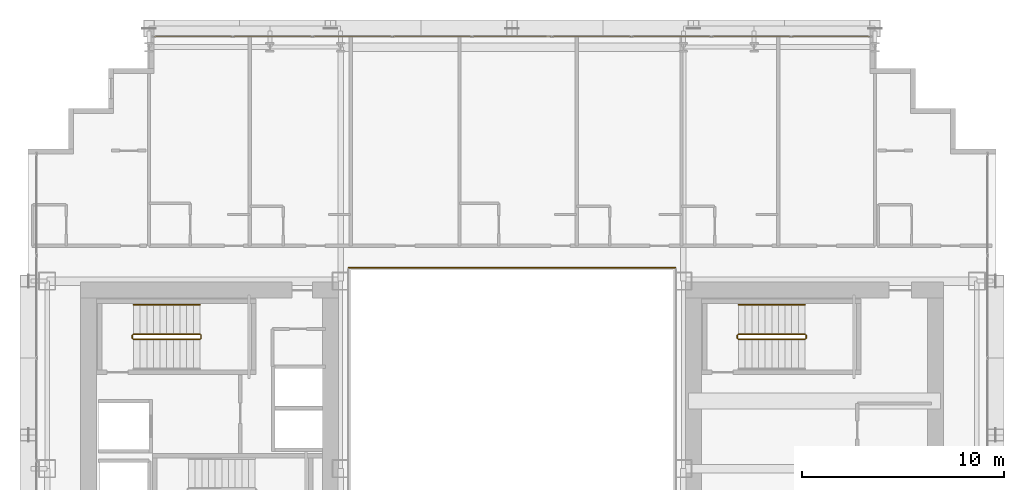
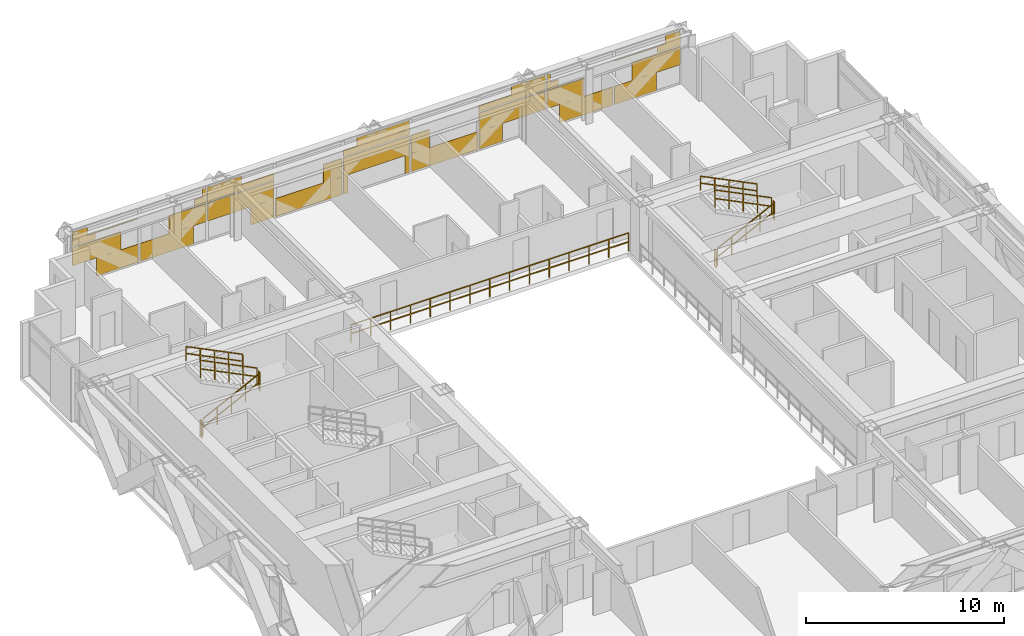
# One storey, part 38 of 38: 11 railings, 1 covering.
"""IFC4 building model written with IfcOpenShell, lengths in metres."""

from ifc_helpers import new_model, si_unit, direction, frame, origin, origin_2d, place, context, subcontext, project, spatial, rectangle, extrude, material, layer, layer_set, type_object, element, save


model = new_model("IFC4")

# Units and contexts
model_context = context("Model", 3, precision=1e-05, world=origin(), true_north=direction((0.0, 1.0)))
body_context = subcontext(model_context, "Body", "Model", "MODEL_VIEW")
ifc_project = project(units=[si_unit("LENGTHUNIT", "METRE"), si_unit("AREAUNIT", "SQUARE_METRE"), si_unit("VOLUMEUNIT", "CUBIC_METRE"), si_unit("PLANEANGLEUNIT", "RADIAN"), si_unit("MASSUNIT", "GRAM", prefix="KILO")], contexts=[model_context])

# Site, building, storey
site_placement = place(None, origin())
site = spatial("IfcSite", under=ifc_project, at=site_placement, CompositionType="ELEMENT")
building_placement = place(site_placement, origin())
building = spatial("IfcBuilding", under=site, at=building_placement, Name="Ocotamira Hotel", CompositionType="ELEMENT")
storey_placement = place(building_placement, frame((0.0, 0.0, 74.39990234375)))
storey = spatial("IfcBuildingStorey", under=building, at=storey_placement, Name="L18", CompositionType="ELEMENT", Elevation=74.39990234375)

# Covering
ifc_material_1 = material(Name="Insulated pale-metal aluminium spandrel panel", Category="aluminium")
ifc_layer = layer(ifc_material_1, 0.044921875)
ifc_layer_set = layer_set([ifc_layer], Name="Insulated pale-metal aluminium spandrel panel")
covering_type = type_object("IfcCoveringType", Name="COV-INFILL-45", PredefinedType="CLADDING", material=ifc_layer_set)
covering_placement = place(storey_placement, origin())
element("IfcCovering", 1, at=covering_placement, inside=storey, type_object=covering_type, Name="L18 Curtain Wall Infill CW-2 CW-L18-N", PredefinedType="CLADDING", context=body_context, shape_type="SweptSolid", body=[
    extrude(rectangle(XDim=2.822265625, YDim=0.044921875, at=origin_2d()), frame((15.691650390625, 49.580078125, 1.1943359375), z_axis=(0.0, 0.0, 1.0), x_axis=(1.0, 0.0, 0.0)), (0.0, 0.0, 1.0), 1.117919921875),
    extrude(rectangle(XDim=2.4521484375, YDim=0.044921875, at=origin_2d()), frame((16.888916015625, 49.580078125, 0.07568359375), z_axis=(0.0, 0.0, 1.0), x_axis=(1.0, 0.0, 0.0)), (0.0, 0.0, 1.0), 1.117919921875),
    extrude(rectangle(XDim=1.330078125, YDim=0.044921875, at=origin_2d()), frame((14.945556640625, 49.580078125, 2.38818359375), z_axis=(0.0, 0.0, 1.0), x_axis=(1.0, 0.0, 0.0)), (0.0, 0.0, 1.0), 0.344482421875),
    extrude(rectangle(XDim=3.834716796875, YDim=0.044921875, at=origin_2d()), frame((16.19775390625, 49.580078125, 2.733642578125), z_axis=(0.0, 0.0, 1.0), x_axis=(1.0, 0.0, 0.0)), (0.0, 0.0, 1.0), 0.0302734375),
    extrude(rectangle(XDim=0.859130859375, YDim=0.044921875, at=origin_2d()), frame((14.7099609375, 49.580078125, 2.764892578125), z_axis=(0.0, 0.0, 1.0), x_axis=(1.0, 0.0, 0.0)), (0.0, 0.0, 1.0), 0.509765625),
    extrude(rectangle(XDim=3.14111328125, YDim=0.044921875, at=origin_2d()), frame((19.7666015625, 49.580078125, 0.07568359375), z_axis=(0.0, 0.0, 1.0), x_axis=(1.0, 0.0, 0.0)), (0.0, 0.0, 1.0), 1.117919921875),
    extrude(rectangle(XDim=2.17333984375, YDim=0.044921875, at=origin_2d()), frame((20.98388671875, 49.580078125, 1.1943359375), z_axis=(0.0, 0.0, 1.0), x_axis=(1.0, 0.0, 0.0)), (0.0, 0.0, 1.0), 1.117919921875),
    extrude(rectangle(XDim=0.68115234375, YDim=0.044921875, at=origin_2d()), frame((21.72998046875, 49.580078125, 2.38818359375), z_axis=(0.0, 0.0, 1.0), x_axis=(1.0, 0.0, 0.0)), (0.0, 0.0, 1.0), 0.375732421875),
    extrude(rectangle(XDim=0.210205078125, YDim=0.044921875, at=origin_2d()), frame((21.965576171875, 49.580078125, 2.764892578125), z_axis=(0.0, 0.0, 1.0), x_axis=(1.0, 0.0, 0.0)), (0.0, 0.0, 1.0), 0.509765625),
    extrude(rectangle(XDim=3.87451171875, YDim=0.044921875, at=origin_2d()), frame((24.0888671875, 49.580078125, 1.1943359375), z_axis=(0.0, 0.0, 1.0), x_axis=(1.0, 0.0, 0.0)), (0.0, 0.0, 1.0), 1.117919921875),
    extrude(rectangle(XDim=1.36328125, YDim=0.044921875, at=origin_2d()), frame((25.344482421875, 49.580078125, 0.07568359375), z_axis=(0.0, 0.0, 1.0), x_axis=(1.0, 0.0, 0.0)), (0.0, 0.0, 1.0), 1.117919921875),
    extrude(rectangle(XDim=3.87451171875, YDim=0.044921875, at=origin_2d()), frame((24.0888671875, 49.580078125, 2.38818359375), z_axis=(0.0, 0.0, 1.0), x_axis=(1.0, 0.0, 0.0)), (0.0, 0.0, 1.0), 0.375732421875),
    extrude(rectangle(XDim=1.988037109375, YDim=0.044921875, at=origin_2d()), frame((23.1455078125, 49.580078125, 2.764892578125), z_axis=(0.0, 0.0, 1.0), x_axis=(1.0, 0.0, 0.0)), (0.0, 0.0, 1.0), 0.509765625),
    extrude(rectangle(XDim=3.87451171875, YDim=0.044921875, at=origin_2d()), frame((28.04443359375, 49.580078125, 0.07568359375), z_axis=(0.0, 0.0, 1.0), x_axis=(1.0, 0.0, 0.0)), (0.0, 0.0, 1.0), 1.117919921875),
    extrude(rectangle(XDim=1.08447265625, YDim=0.044921875, at=origin_2d()), frame((29.439453125, 49.580078125, 1.1943359375), z_axis=(0.0, 0.0, 1.0), x_axis=(1.0, 0.0, 0.0)), (0.0, 0.0, 1.0), 1.117919921875),
    extrude(rectangle(XDim=0.2744140625, YDim=0.044921875, at=origin_2d()), frame((30.199951171875, 49.580078125, 0.07568359375), z_axis=(0.0, 0.0, 1.0), x_axis=(1.0, 0.0, 0.0)), (0.0, 0.0, 1.0), 1.117919921875),
    extrude(rectangle(XDim=3.87451171875, YDim=0.044921875, at=origin_2d()), frame((32.0, 49.580078125, 1.1943359375), z_axis=(0.0, 0.0, 1.0), x_axis=(1.0, 0.0, 0.0)), (0.0, 0.0, 1.0), 1.117919921875),
    extrude(rectangle(XDim=0.2744140625, YDim=0.044921875, at=origin_2d()), frame((33.800048828125, 49.580078125, 0.07568359375), z_axis=(0.0, 0.0, 1.0), x_axis=(1.0, 0.0, 0.0)), (0.0, 0.0, 1.0), 1.117919921875),
    extrude(rectangle(XDim=3.87451171875, YDim=0.044921875, at=origin_2d()), frame((32.0, 49.580078125, 2.38818359375), z_axis=(0.0, 0.0, 1.0), x_axis=(1.0, 0.0, 0.0)), (0.0, 0.0, 1.0), 0.375732421875),
    extrude(rectangle(XDim=3.076904296875, YDim=0.044921875, at=origin_2d()), frame((32.39892578125, 49.580078125, 2.764892578125), z_axis=(0.0, 0.0, 1.0), x_axis=(1.0, 0.0, 0.0)), (0.0, 0.0, 1.0), 0.509765625),
    extrude(rectangle(XDim=3.87451171875, YDim=0.044921875, at=origin_2d()), frame((35.95556640625, 49.580078125, 0.07568359375), z_axis=(0.0, 0.0, 1.0), x_axis=(1.0, 0.0, 0.0)), (0.0, 0.0, 1.0), 1.117919921875),
    extrude(rectangle(XDim=1.08447265625, YDim=0.044921875, at=origin_2d()), frame((34.560546875, 49.580078125, 1.1943359375), z_axis=(0.0, 0.0, 1.0), x_axis=(1.0, 0.0, 0.0)), (0.0, 0.0, 1.0), 1.117919921875),
    extrude(rectangle(XDim=1.36328125, YDim=0.044921875, at=origin_2d()), frame((38.655517578125, 49.580078125, 0.07568359375), z_axis=(0.0, 0.0, 1.0), x_axis=(1.0, 0.0, 0.0)), (0.0, 0.0, 1.0), 1.117919921875),
    extrude(rectangle(XDim=3.87451171875, YDim=0.044921875, at=origin_2d()), frame((39.9111328125, 49.580078125, 1.1943359375), z_axis=(0.0, 0.0, 1.0), x_axis=(1.0, 0.0, 0.0)), (0.0, 0.0, 1.0), 1.117919921875),
    extrude(rectangle(XDim=3.87451171875, YDim=0.044921875, at=origin_2d()), frame((39.9111328125, 49.580078125, 2.38818359375), z_axis=(0.0, 0.0, 1.0), x_axis=(1.0, 0.0, 0.0)), (0.0, 0.0, 1.0), 0.375732421875),
    extrude(rectangle(XDim=1.988037109375, YDim=0.044921875, at=origin_2d()), frame((40.8544921875, 49.580078125, 2.764892578125), z_axis=(0.0, 0.0, 1.0), x_axis=(1.0, 0.0, 0.0)), (0.0, 0.0, 1.0), 0.509765625),
    extrude(rectangle(XDim=2.17333984375, YDim=0.044921875, at=origin_2d()), frame((43.01611328125, 49.580078125, 1.1943359375), z_axis=(0.0, 0.0, 1.0), x_axis=(1.0, 0.0, 0.0)), (0.0, 0.0, 1.0), 1.117919921875),
    extrude(rectangle(XDim=3.14111328125, YDim=0.044921875, at=origin_2d()), frame((44.2333984375, 49.580078125, 0.07568359375), z_axis=(0.0, 0.0, 1.0), x_axis=(1.0, 0.0, 0.0)), (0.0, 0.0, 1.0), 1.117919921875),
    extrude(rectangle(XDim=0.68115234375, YDim=0.044921875, at=origin_2d()), frame((42.27001953125, 49.580078125, 2.38818359375), z_axis=(0.0, 0.0, 1.0), x_axis=(1.0, 0.0, 0.0)), (0.0, 0.0, 1.0), 0.375732421875),
    extrude(rectangle(XDim=0.210205078125, YDim=0.044921875, at=origin_2d()), frame((42.034423828125, 49.580078125, 2.764892578125), z_axis=(0.0, 0.0, 1.0), x_axis=(1.0, 0.0, 0.0)), (0.0, 0.0, 1.0), 0.509765625),
    extrude(rectangle(XDim=2.4521484375, YDim=0.044921875, at=origin_2d()), frame((47.111083984375, 49.580078125, 0.07568359375), z_axis=(0.0, 0.0, 1.0), x_axis=(1.0, 0.0, 0.0)), (0.0, 0.0, 1.0), 1.117919921875),
    extrude(rectangle(XDim=2.822265625, YDim=0.044921875, at=origin_2d()), frame((48.308349609375, 49.580078125, 1.1943359375), z_axis=(0.0, 0.0, 1.0), x_axis=(1.0, 0.0, 0.0)), (0.0, 0.0, 1.0), 1.117919921875),
    extrude(rectangle(XDim=3.834716796875, YDim=0.044921875, at=origin_2d()), frame((47.80224609375, 49.580078125, 2.733642578125), z_axis=(0.0, 0.0, 1.0), x_axis=(1.0, 0.0, 0.0)), (0.0, 0.0, 1.0), 0.0302734375),
    extrude(rectangle(XDim=1.330078125, YDim=0.044921875, at=origin_2d()), frame((49.054443359375, 49.580078125, 2.38818359375), z_axis=(0.0, 0.0, 1.0), x_axis=(1.0, 0.0, 0.0)), (0.0, 0.0, 1.0), 0.344482421875),
    extrude(rectangle(XDim=0.859130859375, YDim=0.044921875, at=origin_2d()), frame((49.2900390625, 49.580078125, 2.764892578125), z_axis=(0.0, 0.0, 1.0), x_axis=(1.0, 0.0, 0.0)), (0.0, 0.0, 1.0), 0.509765625),
])

# Railings
ifc_material_2 = material(Name="Painted steel stair guardrail", Category="steel")
railing_type_1 = type_object("IfcRailingType", Name="RL-EDGE-1150", PredefinedType="GUARDRAIL", material=ifc_material_2)
railing_1_placement = place(storey_placement, frame((40.10009765625, 38.1201171875, 0.0)))
element("IfcRailing", 2, at=railing_1_placement, inside=storey, type_object=railing_type_1, Name="L18 Central Atrium Edge Guardrail N", PredefinedType="GUARDRAIL", context=body_context, shape_type="SweptSolid", body=[
    extrude(rectangle(XDim=0.048095703125, YDim=0.048095703125, at=origin_2d()), frame((0.0, 0.0, 1.1259765625), z_axis=(-1.0, 0.0, 0.0), x_axis=(0.0, -1.0, 0.0)), (0.0, 0.0, 1.0), 16.2001953125),
    extrude(rectangle(XDim=0.048095703125, YDim=0.048095703125, at=origin_2d()), frame((0.0, 0.0, 0.574951171875), z_axis=(-1.0, 0.0, 0.0), x_axis=(0.0, -1.0, 0.0)), (0.0, 0.0, 1.0), 16.2001953125),
    extrude(rectangle(XDim=0.0419921875, YDim=0.0419921875, at=origin_2d()), origin(), (0.0, 0.0, 1.0), 1.101806640625),
    extrude(rectangle(XDim=0.0419921875, YDim=0.0419921875, at=origin_2d()), frame((-1.1572265625, 0.0, 0.0)), (0.0, 0.0, 1.0), 1.101806640625),
    extrude(rectangle(XDim=0.0419921875, YDim=0.0419921875, at=origin_2d()), frame((-2.314208984375, 0.0, 0.0)), (0.0, 0.0, 1.0), 1.101806640625),
    extrude(rectangle(XDim=0.0419921875, YDim=0.0419921875, at=origin_2d()), frame((-3.471435546875, 0.0, 0.0)), (0.0, 0.0, 1.0), 1.101806640625),
    extrude(rectangle(XDim=0.0419921875, YDim=0.0419921875, at=origin_2d()), frame((-4.628662109375, 0.0, 0.0)), (0.0, 0.0, 1.0), 1.101806640625),
    extrude(rectangle(XDim=0.0419921875, YDim=0.0419921875, at=origin_2d()), frame((-5.785888671875, 0.0, 0.0)), (0.0, 0.0, 1.0), 1.101806640625),
    extrude(rectangle(XDim=0.0419921875, YDim=0.0419921875, at=origin_2d()), frame((-6.94287109375, 0.0, 0.0)), (0.0, 0.0, 1.0), 1.101806640625),
    extrude(rectangle(XDim=0.0419921875, YDim=0.0419921875, at=origin_2d()), frame((-8.10009765625, 0.0, 0.0)), (0.0, 0.0, 1.0), 1.101806640625),
    extrude(rectangle(XDim=0.0419921875, YDim=0.0419921875, at=origin_2d()), frame((-9.25732421875, 0.0, 0.0)), (0.0, 0.0, 1.0), 1.101806640625),
    extrude(rectangle(XDim=0.0419921875, YDim=0.0419921875, at=origin_2d()), frame((-10.414306640625, 0.0, 0.0)), (0.0, 0.0, 1.0), 1.101806640625),
    extrude(rectangle(XDim=0.0419921875, YDim=0.0419921875, at=origin_2d()), frame((-11.571533203125, 0.0, 0.0)), (0.0, 0.0, 1.0), 1.101806640625),
    extrude(rectangle(XDim=0.0419921875, YDim=0.0419921875, at=origin_2d()), frame((-12.728759765625, 0.0, 0.0)), (0.0, 0.0, 1.0), 1.101806640625),
    extrude(rectangle(XDim=0.0419921875, YDim=0.0419921875, at=origin_2d()), frame((-13.885986328125, 0.0, 0.0)), (0.0, 0.0, 1.0), 1.101806640625),
    extrude(rectangle(XDim=0.0419921875, YDim=0.0419921875, at=origin_2d()), frame((-15.04296875, 0.0, 0.0)), (0.0, 0.0, 1.0), 1.101806640625),
    extrude(rectangle(XDim=0.0419921875, YDim=0.0419921875, at=origin_2d()), frame((-16.2001953125, 0.0, 0.0)), (0.0, 0.0, 1.0), 1.101806640625),
])
ifc_material_3 = material(Name="Brushed stainless steel handrail", Category="steel")
railing_type_2 = type_object("IfcRailingType", Name="RL-HAND-900", PredefinedType="HANDRAIL", material=ifc_material_3)
for number, where, name in (
    (3, (16.530029296875, 36.280029296875, 2.12744140625), "L18 ST-2 stair handrail 2"),
    (4, (46.530029296875, 36.280029296875, 2.12744140625), "L18 ST-4 stair handrail 2"),
):
    element("IfcRailing", number, at=place(storey_placement, frame(where)), inside=storey, type_object=railing_type_2, Name=name, PredefinedType="HANDRAIL", context=body_context, shape_type="SweptSolid", body=[
        extrude(rectangle(XDim=0.048095703125, YDim=0.048095703125, at=origin_2d()), frame((0.0, 0.0, 0.8759765625), z_axis=(-0.895920123917, 0.0, 0.444215186098), x_axis=(0.0, -1.0, 0.0)), (0.0, 0.0, 1.0), 3.683349609375),
        extrude(rectangle(XDim=0.048095703125, YDim=0.048095703125, at=origin_2d()), frame((0.0, 0.0, 0.449951171875), z_axis=(-0.895920123917, 0.0, 0.444215186098), x_axis=(0.0, -1.0, 0.0)), (0.0, 0.0, 1.0), 3.683349609375),
        extrude(rectangle(XDim=0.0419921875, YDim=0.0419921875, at=origin_2d()), origin(), (0.0, 0.0, 1.0), 0.851806640625),
        extrude(rectangle(XDim=0.0419921875, YDim=0.0419921875, at=origin_2d()), frame((-0.824951171875, 0.0, 0.4091796875)), (0.0, 0.0, 1.0), 0.851806640625),
        extrude(rectangle(XDim=0.0419921875, YDim=0.0419921875, at=origin_2d()), frame((-1.64990234375, 0.0, 0.818115234375)), (0.0, 0.0, 1.0), 0.851806640625),
        extrude(rectangle(XDim=0.0419921875, YDim=0.0419921875, at=origin_2d()), frame((-2.47509765625, 0.0, 1.22705078125)), (0.0, 0.0, 1.0), 0.851806640625),
        extrude(rectangle(XDim=0.0419921875, YDim=0.0419921875, at=origin_2d()), frame((-3.300048828125, 0.0, 1.63623046875)), (0.0, 0.0, 1.0), 0.851806640625),
    ])
railing_type_3 = type_object("IfcRailingType", Name="RL-STAIR-1100", PredefinedType="GUARDRAIL", material=ifc_material_2)
railing_2_placement = place(storey_placement, frame((13.22998046875, 34.56005859375, 0.163818359375)))
element("IfcRailing", 5, at=railing_2_placement, inside=storey, type_object=railing_type_3, Name="L18 ST-2 stair guard 1", PredefinedType="GUARDRAIL", context=body_context, shape_type="SweptSolid", body=[
    extrude(rectangle(XDim=0.048095703125, YDim=0.048095703125, at=origin_2d()), frame((0.0, 0.0, 1.076171875), z_axis=(0.895920123917, 0.0, 0.444215186098), x_axis=(0.0, 1.0, 0.0)), (0.0, 0.0, 1.0), 3.683349609375),
    extrude(rectangle(XDim=0.048095703125, YDim=0.048095703125, at=origin_2d()), frame((0.0, 0.0, 0.550048828125), z_axis=(0.895920123917, 0.0, 0.444215186098), x_axis=(0.0, 1.0, 0.0)), (0.0, 0.0, 1.0), 3.683349609375),
    extrude(rectangle(XDim=0.0419921875, YDim=0.0419921875, at=origin_2d()), origin(), (0.0, 0.0, 1.0), 1.052001953125),
    extrude(rectangle(XDim=0.0419921875, YDim=0.0419921875, at=origin_2d()), frame((0.824951171875, 0.0, 0.4091796875)), (0.0, 0.0, 1.0), 1.052001953125),
    extrude(rectangle(XDim=0.0419921875, YDim=0.0419921875, at=origin_2d()), frame((1.64990234375, 0.0, 0.818115234375)), (0.0, 0.0, 1.0), 1.052001953125),
    extrude(rectangle(XDim=0.0419921875, YDim=0.0419921875, at=origin_2d()), frame((2.47509765625, 0.0, 1.22705078125)), (0.0, 0.0, 1.0), 1.052001953125),
    extrude(rectangle(XDim=0.0419921875, YDim=0.0419921875, at=origin_2d()), frame((3.300048828125, 0.0, 1.63623046875)), (0.0, 0.0, 1.0), 1.052001953125),
])
railing_3_placement = place(storey_placement, frame((16.580078125, 34.610107421875, 1.800048828125)))
element("IfcRailing", 6, at=railing_3_placement, inside=storey, type_object=railing_type_3, Name="L18 ST-2 stair guard 2", PredefinedType="GUARDRAIL", context=body_context, shape_type="SweptSolid", body=[
    extrude(rectangle(XDim=0.048095703125, YDim=0.048095703125, at=origin_2d()), frame((0.0, 0.0, 1.076171875), z_axis=(0.0, 1.0, 0.0), x_axis=(-1.0, 0.0, 0.0)), (0.0, 0.0, 1.0), 0.159912109375),
    extrude(rectangle(XDim=0.048095703125, YDim=0.048095703125, at=origin_2d()), frame((0.0, 0.0, 0.550048828125), z_axis=(0.0, 1.0, 0.0), x_axis=(-1.0, 0.0, 0.0)), (0.0, 0.0, 1.0), 0.159912109375),
    extrude(rectangle(XDim=0.0419921875, YDim=0.0419921875, at=origin_2d()), origin(), (0.0, 0.0, 1.0), 1.052001953125),
    extrude(rectangle(XDim=0.0419921875, YDim=0.0419921875, at=origin_2d()), frame((0.0, 0.159912109375, 0.0)), (0.0, 0.0, 1.0), 1.052001953125),
])
railing_4_placement = place(storey_placement, frame((16.530029296875, 34.820068359375, 1.963623046875)))
element("IfcRailing", 7, at=railing_4_placement, inside=storey, type_object=railing_type_3, Name="L18 ST-2 stair guard 3", PredefinedType="GUARDRAIL", context=body_context, shape_type="SweptSolid", body=[
    extrude(rectangle(XDim=0.048095703125, YDim=0.048095703125, at=origin_2d()), frame((0.0, 0.0, 1.076171875), z_axis=(-0.895893744519, 0.0, 0.4442683857), x_axis=(0.0, -1.0, 0.0)), (0.0, 0.0, 1.0), 3.68359375),
    extrude(rectangle(XDim=0.048095703125, YDim=0.048095703125, at=origin_2d()), frame((0.0, 0.0, 0.550048828125), z_axis=(-0.895893744519, 0.0, 0.4442683857), x_axis=(0.0, -1.0, 0.0)), (0.0, 0.0, 1.0), 3.68359375),
    extrude(rectangle(XDim=0.0419921875, YDim=0.0419921875, at=origin_2d()), origin(), (0.0, 0.0, 1.0), 1.052001953125),
    extrude(rectangle(XDim=0.0419921875, YDim=0.0419921875, at=origin_2d()), frame((-0.824951171875, 0.0, 0.4091796875)), (0.0, 0.0, 1.0), 1.052001953125),
    extrude(rectangle(XDim=0.0419921875, YDim=0.0419921875, at=origin_2d()), frame((-1.64990234375, 0.0, 0.818359375)), (0.0, 0.0, 1.0), 1.052001953125),
    extrude(rectangle(XDim=0.0419921875, YDim=0.0419921875, at=origin_2d()), frame((-2.47509765625, 0.0, 1.227294921875)), (0.0, 0.0, 1.0), 1.052001953125),
    extrude(rectangle(XDim=0.0419921875, YDim=0.0419921875, at=origin_2d()), frame((-3.300048828125, 0.0, 1.636474609375)), (0.0, 0.0, 1.0), 1.052001953125),
])
railing_5_placement = place(storey_placement, frame((13.179931640625, 34.610107421875, 0.0)))
element("IfcRailing", 8, at=railing_5_placement, inside=storey, type_object=railing_type_3, Name="L18 ST-2 stair guard 4", PredefinedType="GUARDRAIL", context=body_context, shape_type="SweptSolid", body=[
    extrude(rectangle(XDim=0.048095703125, YDim=0.048095703125, at=origin_2d()), frame((0.0, 0.0, 1.076171875), z_axis=(0.0, 1.0, 0.0), x_axis=(-1.0, 0.0, 0.0)), (0.0, 0.0, 1.0), 0.159912109375),
    extrude(rectangle(XDim=0.048095703125, YDim=0.048095703125, at=origin_2d()), frame((0.0, 0.0, 0.550048828125), z_axis=(0.0, 1.0, 0.0), x_axis=(-1.0, 0.0, 0.0)), (0.0, 0.0, 1.0), 0.159912109375),
    extrude(rectangle(XDim=0.0419921875, YDim=0.0419921875, at=origin_2d()), origin(), (0.0, 0.0, 1.0), 1.052001953125),
    extrude(rectangle(XDim=0.0419921875, YDim=0.0419921875, at=origin_2d()), frame((0.0, 0.159912109375, 0.0)), (0.0, 0.0, 1.0), 1.052001953125),
])
railing_6_placement = place(storey_placement, frame((43.22998046875, 34.56005859375, 0.163818359375)))
element("IfcRailing", 9, at=railing_6_placement, inside=storey, type_object=railing_type_3, Name="L18 ST-4 stair guard 1", PredefinedType="GUARDRAIL", context=body_context, shape_type="SweptSolid", body=[
    extrude(rectangle(XDim=0.048095703125, YDim=0.048095703125, at=origin_2d()), frame((0.0, 0.0, 1.076171875), z_axis=(0.895920123917, 0.0, 0.444215186098), x_axis=(0.0, 1.0, 0.0)), (0.0, 0.0, 1.0), 3.683349609375),
    extrude(rectangle(XDim=0.048095703125, YDim=0.048095703125, at=origin_2d()), frame((0.0, 0.0, 0.550048828125), z_axis=(0.895920123917, 0.0, 0.444215186098), x_axis=(0.0, 1.0, 0.0)), (0.0, 0.0, 1.0), 3.683349609375),
    extrude(rectangle(XDim=0.0419921875, YDim=0.0419921875, at=origin_2d()), origin(), (0.0, 0.0, 1.0), 1.052001953125),
    extrude(rectangle(XDim=0.0419921875, YDim=0.0419921875, at=origin_2d()), frame((0.824951171875, 0.0, 0.4091796875)), (0.0, 0.0, 1.0), 1.052001953125),
    extrude(rectangle(XDim=0.0419921875, YDim=0.0419921875, at=origin_2d()), frame((1.64990234375, 0.0, 0.818115234375)), (0.0, 0.0, 1.0), 1.052001953125),
    extrude(rectangle(XDim=0.0419921875, YDim=0.0419921875, at=origin_2d()), frame((2.47509765625, 0.0, 1.22705078125)), (0.0, 0.0, 1.0), 1.052001953125),
    extrude(rectangle(XDim=0.0419921875, YDim=0.0419921875, at=origin_2d()), frame((3.300048828125, 0.0, 1.63623046875)), (0.0, 0.0, 1.0), 1.052001953125),
])
railing_7_placement = place(storey_placement, frame((46.580078125, 34.610107421875, 1.800048828125)))
element("IfcRailing", 10, at=railing_7_placement, inside=storey, type_object=railing_type_3, Name="L18 ST-4 stair guard 2", PredefinedType="GUARDRAIL", context=body_context, shape_type="SweptSolid", body=[
    extrude(rectangle(XDim=0.048095703125, YDim=0.048095703125, at=origin_2d()), frame((0.0, 0.0, 1.076171875), z_axis=(0.0, 1.0, 0.0), x_axis=(-1.0, 0.0, 0.0)), (0.0, 0.0, 1.0), 0.159912109375),
    extrude(rectangle(XDim=0.048095703125, YDim=0.048095703125, at=origin_2d()), frame((0.0, 0.0, 0.550048828125), z_axis=(0.0, 1.0, 0.0), x_axis=(-1.0, 0.0, 0.0)), (0.0, 0.0, 1.0), 0.159912109375),
    extrude(rectangle(XDim=0.0419921875, YDim=0.0419921875, at=origin_2d()), origin(), (0.0, 0.0, 1.0), 1.052001953125),
    extrude(rectangle(XDim=0.0419921875, YDim=0.0419921875, at=origin_2d()), frame((0.0, 0.159912109375, 0.0)), (0.0, 0.0, 1.0), 1.052001953125),
])
railing_8_placement = place(storey_placement, frame((46.530029296875, 34.820068359375, 1.963623046875)))
element("IfcRailing", 11, at=railing_8_placement, inside=storey, type_object=railing_type_3, Name="L18 ST-4 stair guard 3", PredefinedType="GUARDRAIL", context=body_context, shape_type="SweptSolid", body=[
    extrude(rectangle(XDim=0.048095703125, YDim=0.048095703125, at=origin_2d()), frame((0.0, 0.0, 1.076171875), z_axis=(-0.895893744519, 0.0, 0.4442683857), x_axis=(0.0, -1.0, 0.0)), (0.0, 0.0, 1.0), 3.68359375),
    extrude(rectangle(XDim=0.048095703125, YDim=0.048095703125, at=origin_2d()), frame((0.0, 0.0, 0.550048828125), z_axis=(-0.895893744519, 0.0, 0.4442683857), x_axis=(0.0, -1.0, 0.0)), (0.0, 0.0, 1.0), 3.68359375),
    extrude(rectangle(XDim=0.0419921875, YDim=0.0419921875, at=origin_2d()), origin(), (0.0, 0.0, 1.0), 1.052001953125),
    extrude(rectangle(XDim=0.0419921875, YDim=0.0419921875, at=origin_2d()), frame((-0.824951171875, 0.0, 0.4091796875)), (0.0, 0.0, 1.0), 1.052001953125),
    extrude(rectangle(XDim=0.0419921875, YDim=0.0419921875, at=origin_2d()), frame((-1.64990234375, 0.0, 0.818359375)), (0.0, 0.0, 1.0), 1.052001953125),
    extrude(rectangle(XDim=0.0419921875, YDim=0.0419921875, at=origin_2d()), frame((-2.47509765625, 0.0, 1.227294921875)), (0.0, 0.0, 1.0), 1.052001953125),
    extrude(rectangle(XDim=0.0419921875, YDim=0.0419921875, at=origin_2d()), frame((-3.300048828125, 0.0, 1.636474609375)), (0.0, 0.0, 1.0), 1.052001953125),
])
railing_9_placement = place(storey_placement, frame((43.179931640625, 34.610107421875, 0.0)))
element("IfcRailing", 12, at=railing_9_placement, inside=storey, type_object=railing_type_3, Name="L18 ST-4 stair guard 4", PredefinedType="GUARDRAIL", context=body_context, shape_type="SweptSolid", body=[
    extrude(rectangle(XDim=0.048095703125, YDim=0.048095703125, at=origin_2d()), frame((0.0, 0.0, 1.076171875), z_axis=(0.0, 1.0, 0.0), x_axis=(-1.0, 0.0, 0.0)), (0.0, 0.0, 1.0), 0.159912109375),
    extrude(rectangle(XDim=0.048095703125, YDim=0.048095703125, at=origin_2d()), frame((0.0, 0.0, 0.550048828125), z_axis=(0.0, 1.0, 0.0), x_axis=(-1.0, 0.0, 0.0)), (0.0, 0.0, 1.0), 0.159912109375),
    extrude(rectangle(XDim=0.0419921875, YDim=0.0419921875, at=origin_2d()), origin(), (0.0, 0.0, 1.0), 1.052001953125),
    extrude(rectangle(XDim=0.0419921875, YDim=0.0419921875, at=origin_2d()), frame((0.0, 0.159912109375, 0.0)), (0.0, 0.0, 1.0), 1.052001953125),
])

save(model, "model.ifc")
